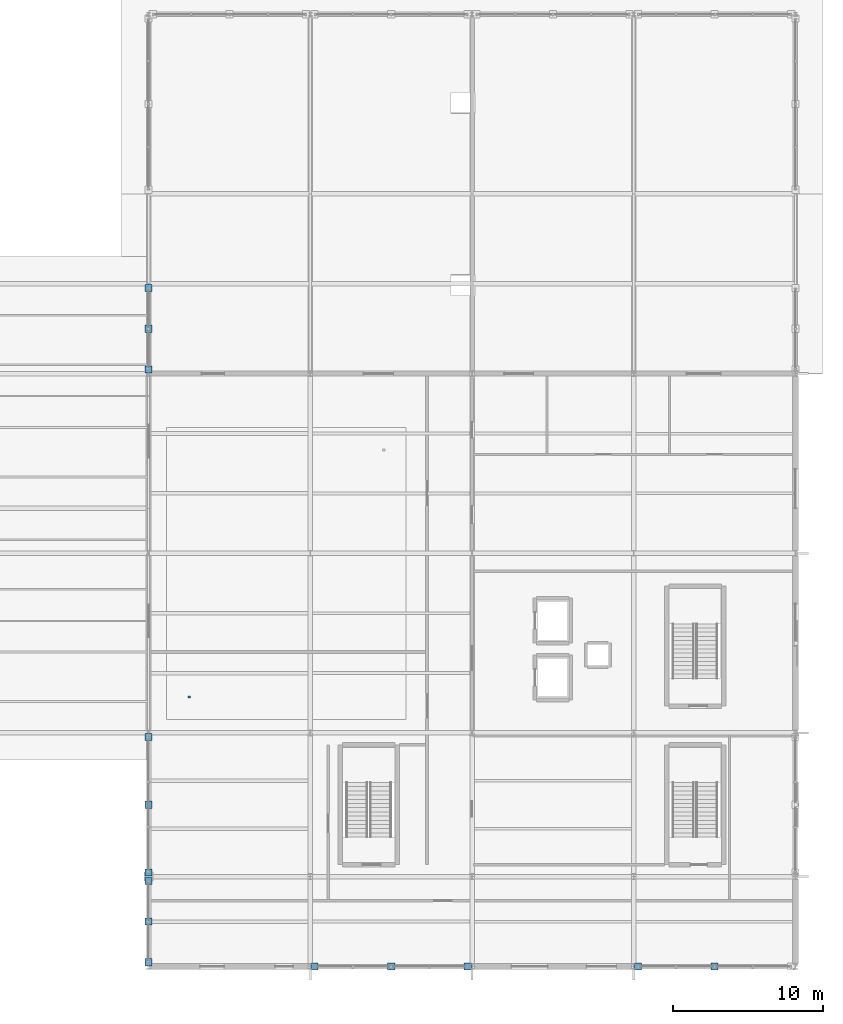
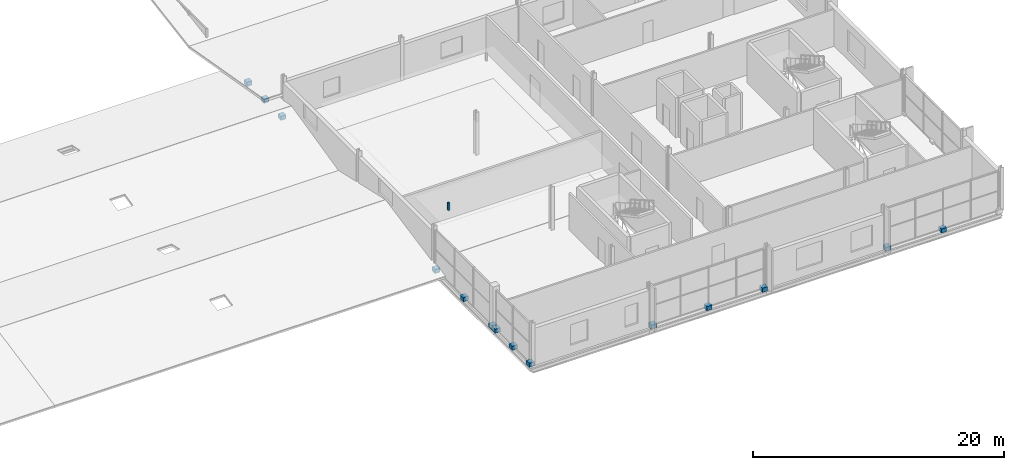
# One storey, part 111 of 117: 15 discrete accessories.
"""IFC4 building model written with IfcOpenShell, lengths in metres."""

from ifc_helpers import new_model, si_unit, direction, frame, origin, origin_2d, place, context, subcontext, project, spatial, rectangle, extrude, material, layer, layer_set, type_object, element, save


model = new_model("IFC4")

# Units and contexts
model_context = context("Model", 3, precision=1e-05, world=origin(), true_north=direction((0.0, 1.0)))
body_context = subcontext(model_context, "Body", "Model", "MODEL_VIEW")
ifc_project = project(units=[si_unit("LENGTHUNIT", "METRE"), si_unit("AREAUNIT", "SQUARE_METRE"), si_unit("VOLUMEUNIT", "CUBIC_METRE"), si_unit("PLANEANGLEUNIT", "RADIAN"), si_unit("MASSUNIT", "GRAM", prefix="KILO")], contexts=[model_context])

# Site, building, storey
site_placement = place(None, origin())
site = spatial("IfcSite", under=ifc_project, at=site_placement, CompositionType="ELEMENT")
building_placement = place(site_placement, origin())
building = spatial("IfcBuilding", under=site, at=building_placement, Name="Merenkruunu Market Hall", CompositionType="ELEMENT")
storey_placement = place(building_placement, frame((0.0, 0.0, 10.199951171875)))
storey = spatial("IfcBuildingStorey", under=building, at=storey_placement, Name="L02", CompositionType="ELEMENT", Elevation=10.199951171875)

# Discrete accessories
ifc_material = material(Name="Brushed stainless steel", Category="steel")
ifc_layer = layer(ifc_material, 0.159912109375)
ifc_layer_set = layer_set([ifc_layer], Name="Brushed stainless steel")
discrete_accessory_type = type_object("IfcDiscreteAccessoryType", Name="Stainless Facade Support Bracket BRK01", PredefinedType="BRACKET", material=ifc_layer_set)
for number, where, z_axis, x_axis, name in (
    (1, (170.1201171875, 0.0, -0.199951171875), (0.0, 0.0, 1.0), (1.0, 0.0, 0.0), "ACC-CWBRK-215-1"),
    (2, (165.0, 0.0, -0.199951171875), (0.0, 0.0, 1.0), (1.0, 0.0, 0.0), "ACC-CWBRK-215-2"),
    (3, (159.8798828125, 0.0, -0.199951171875), (0.0, 0.0, 1.0), (1.0, 0.0, 0.0), "ACC-CWBRK-215-3"),
    (4, (186.60009765625, 0.0, -0.199951171875), (0.0, 0.0, 1.0), (1.0, 0.0, 0.0), "ACC-CWBRK-216-2"),
    (5, (181.47998046875, 0.0, -0.199951171875), (0.0, 0.0, 1.0), (1.0, 0.0, 0.0), "ACC-CWBRK-216-3"),
    (6, (148.800048828125, 0.280029296875, -0.199951171875), (0.0, 0.0, 1.0), (1.0, 0.0, 0.0), "ACC-CWBRK-218-1"),
    (7, (148.800048828125, 3.0, -0.199951171875), (0.0, 0.0, 1.0), (1.0, 0.0, 0.0), "ACC-CWBRK-218-2"),
    (8, (148.800048828125, 5.719970703125, -0.199951171875), (0.0, 0.0, 1.0), (1.0, 0.0, 0.0), "ACC-CWBRK-218-3"),
    (9, (148.800048828125, 6.280029296875, -0.199951171875), (0.0, 0.0, 1.0), (1.0, 0.0, 0.0), "ACC-CWBRK-219-1"),
    (10, (148.800048828125, 10.800048828125, -0.199951171875), (0.0, 0.0, 1.0), (1.0, 0.0, 0.0), "ACC-CWBRK-219-2"),
    (11, (148.800048828125, 15.320068359375, -0.199951171875), (0.0, 0.0, 1.0), (1.0, 0.0, 0.0), "ACC-CWBRK-219-3"),
    (12, (148.800048828125, 39.8798828125, -0.179931640625), (0.0, 0.0, 1.0), (1.0, 0.0, 0.0), "ACC-CWBRK-232-1"),
    (13, (148.800048828125, 42.60009765625, -0.179931640625), (0.0, 0.0, 1.0), (1.0, 0.0, 0.0), "ACC-CWBRK-232-2"),
    (14, (148.800048828125, 45.320068359375, -0.179931640625), (0.0, 0.0, 1.0), (1.0, 0.0, 0.0), "ACC-CWBRK-232-3"),
):
    element("IfcDiscreteAccessory", number, at=place(storey_placement, frame(where, z_axis=z_axis, x_axis=x_axis)), inside=storey, type_object=discrete_accessory_type, Name=name, PredefinedType="BRACKET", context=body_context, shape_type="SweptSolid", body=[
        extrude(rectangle(XDim=0.47998046875, YDim=0.47998046875, at=origin_2d()), origin(), (0.0, 0.0, 1.0), 0.39990234375),
    ])
discrete_accessory_placement = place(storey_placement, frame((151.5, 18.0, 3.199951171875), z_axis=(0.0, 0.0, 1.0), x_axis=(1.0, 0.0, 0.0)))
element("IfcDiscreteAccessory", 15, at=discrete_accessory_placement, inside=storey, type_object=discrete_accessory_type, Name="ACC-CLGHNG-5-1", PredefinedType="BRACKET", context=body_context, shape_type="SweptSolid", body=[
    extrude(rectangle(XDim=0.159912109375, YDim=0.159912109375, at=origin_2d()), origin(), (0.0, 0.0, 1.0), 0.75),
])

save(model, "model.ifc")
